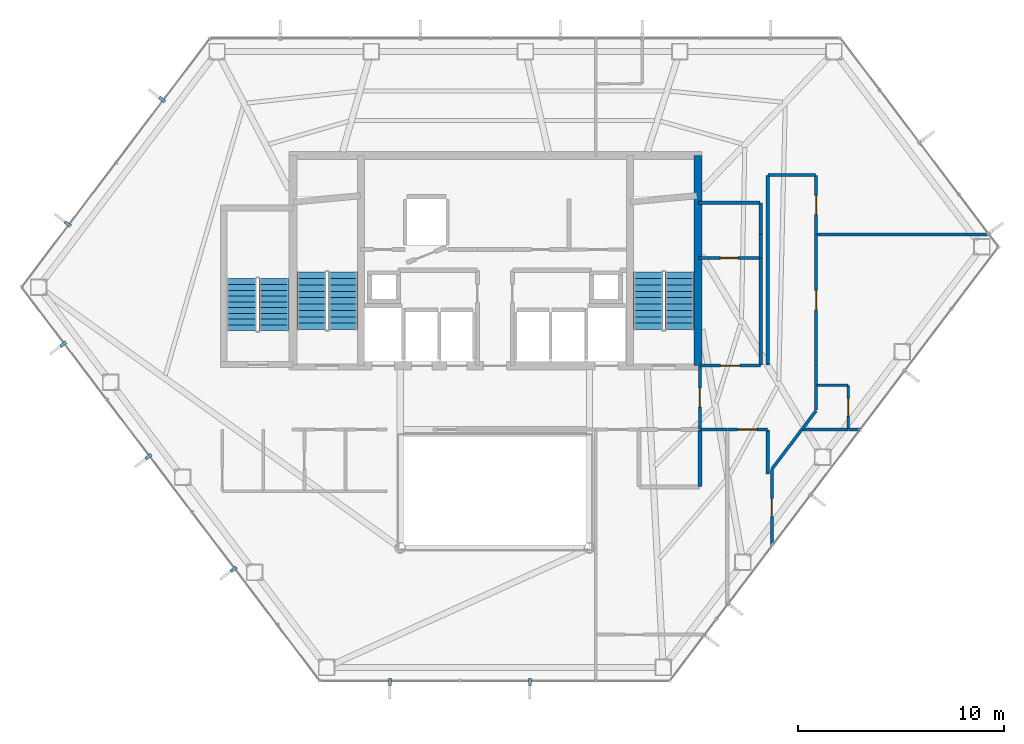
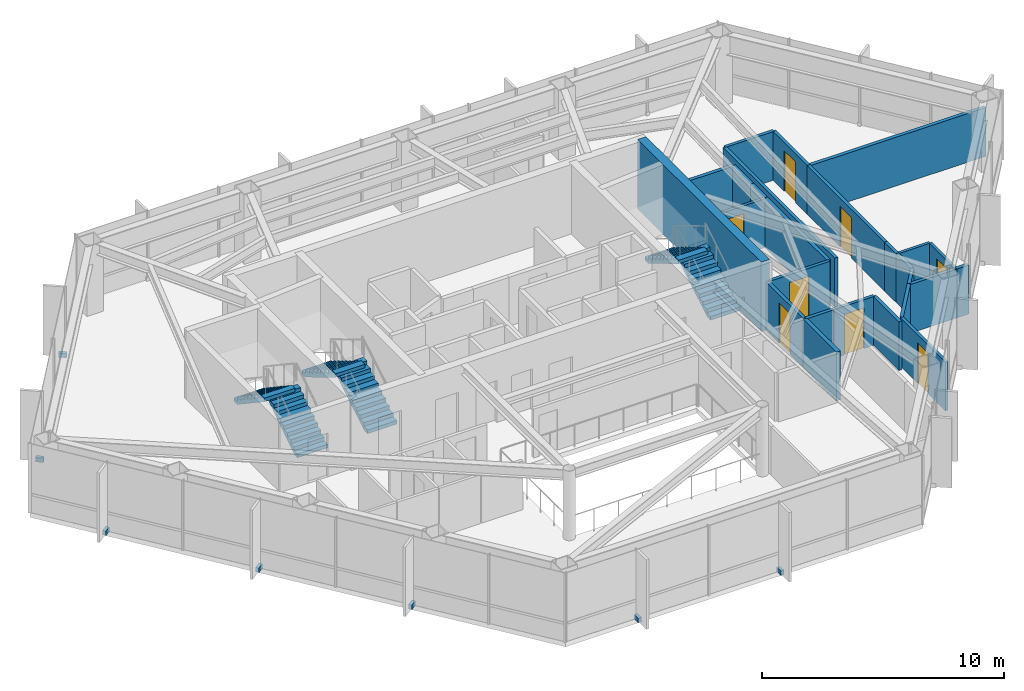
# One storey, part 27 of 29: 26 walls, 8 doors, 7 discrete accessories, 6 stair flights, 8 openings, 3 elements without a shape of their own.
"""IFC4 building model written with IfcOpenShell, lengths in metres."""

from ifc_helpers import new_model, si_unit, direction, frame, frame_2d, origin, origin_2d, place, context, subcontext, project, spatial, polyline, rectangle, outline, extrude, material, layer, layer_set, type_object, element, fill, aggregate, save


model = new_model("IFC4")

# Units and contexts
model_context = context("Model", 3, precision=1e-05, world=origin(), true_north=direction((0.0, 1.0)))
body_context = subcontext(model_context, "Body", "Model", "MODEL_VIEW")
ifc_project = project(units=[si_unit("LENGTHUNIT", "METRE"), si_unit("AREAUNIT", "SQUARE_METRE"), si_unit("VOLUMEUNIT", "CUBIC_METRE"), si_unit("PLANEANGLEUNIT", "RADIAN"), si_unit("MASSUNIT", "GRAM", prefix="KILO")], contexts=[model_context])

# Site, building, storey
site_placement = place(None, origin())
site = spatial("IfcSite", under=ifc_project, at=site_placement, CompositionType="ELEMENT")
building_placement = place(site_placement, origin())
building = spatial("IfcBuilding", under=site, at=building_placement, Name="Zarrinselat Tower", CompositionType="ELEMENT")
storey_placement = place(building_placement, frame((0.0, 0.0, 138.3798828125)))
storey = spatial("IfcBuildingStorey", under=building, at=storey_placement, Name="L33", CompositionType="ELEMENT", Elevation=138.3798828125)

# Walls
ifc_material_1 = material(Name="Fire-Rated Gypsum Board Partition", Category="gypsum")
ifc_layer_1 = layer(ifc_material_1, 0.1650390625)
ifc_layer_set_1 = layer_set([ifc_layer_1], Name="Fire-Rated Gypsum Board Partition")
wall_type_1 = type_object("IfcWallType", Name="WAL-PART-DEMISE", PredefinedType="PARTITIONING", material=ifc_layer_set_1)
wall_1_placement = place(storey_placement, frame((55.562255859375, 30.14990234375, 0.0), z_axis=(0.0, 0.0, 1.0), x_axis=(1.0, 0.0, 0.0)))
element("IfcWall", 1, at=wall_1_placement, inside=storey, type_object=wall_type_1, Name="L33 Partition Wall 51", PredefinedType="PARTITIONING", context=body_context, shape_type="SweptSolid", body=[
    extrude(rectangle(XDim=0.565185546875, YDim=0.1650390625, at=frame_2d((0.28271484375, 0.0))), origin(), (0.0, 0.0, 1.0), 2.45703125),
])
wall_2_placement = place(storey_placement, frame((53.3271484375, 30.14990234375, 0.0), z_axis=(0.0, 0.0, 1.0), x_axis=(1.0, 0.0, 0.0)))
element("IfcWall", 2, at=wall_2_placement, inside=storey, type_object=wall_type_1, Name="L33 Partition Wall 52", PredefinedType="PARTITIONING", context=body_context, shape_type="SweptSolid", body=[
    extrude(rectangle(XDim=2.22509765625, YDim=0.1650390625, at=frame_2d((1.112548828125, 0.0))), origin(), (0.0, 0.0, 1.0), 2.45703125),
])
wall_3_placement = place(storey_placement, frame((54.02001953125, 39.6201171875, 0.0), z_axis=(0.0, 0.0, 1.0), x_axis=(1.0, 0.0, 0.0)))
element("IfcWall", 3, at=wall_3_placement, inside=storey, type_object=wall_type_1, Name="L33 Partition Wall 55", PredefinedType="PARTITIONING", context=body_context, shape_type="SweptSolid", body=[
    extrude(rectangle(XDim=8.37255859375, YDim=0.1650390625, at=frame_2d((4.186279296875, 0.0))), origin(), (0.0, 0.0, 1.0), 2.45703125),
])
wall_4_placement = place(storey_placement, frame((51.300048828125, 33.27001953125, 0.0), z_axis=(0.0, 0.0, 1.0), x_axis=(0.0, 1.0, 0.0)))
element("IfcWall", 4, at=wall_4_placement, inside=storey, type_object=wall_type_1, Name="L33 Partition Wall 58", PredefinedType="PARTITIONING", context=body_context, shape_type="SweptSolid", body=[
    extrude(rectangle(XDim=5.2021484375, YDim=0.1650390625, at=frame_2d((2.60107421875, 0.0))), origin(), (0.0, 0.0, 1.0), 2.45703125),
])
wall_5_placement = place(storey_placement, frame((51.300048828125, 38.482177734375, 0.0), z_axis=(0.0, 0.0, 1.0), x_axis=(0.0, 1.0, 0.0)))
element("IfcWall", 5, at=wall_5_placement, inside=storey, type_object=wall_type_1, Name="L33 Partition Wall 59", PredefinedType="PARTITIONING", context=body_context, shape_type="SweptSolid", body=[
    extrude(rectangle(XDim=1.137939453125, YDim=0.1650390625, at=frame_2d((0.56884765625, 0.0))), origin(), (0.0, 0.0, 1.0), 2.45703125),
])
wall_6_placement = place(storey_placement, frame((51.300048828125, 39.6201171875, 0.0), z_axis=(0.0, 0.0, 1.0), x_axis=(0.0, 1.0, 0.0)))
element("IfcWall", 6, at=wall_6_placement, inside=storey, type_object=wall_type_1, Name="L33 Partition Wall 60", PredefinedType="PARTITIONING", context=body_context, shape_type="SweptSolid", body=[
    extrude(rectangle(XDim=1.52978515625, YDim=0.1650390625, at=frame_2d((0.764892578125, 0.0))), origin(), (0.0, 0.0, 1.0), 2.45703125),
])
wall_7_placement = place(storey_placement, frame((48.27490234375, 41.169921875, 0.0), z_axis=(0.0, 0.0, 1.0), x_axis=(1.0, 0.0, 0.0)))
element("IfcWall", 7, at=wall_7_placement, inside=storey, type_object=wall_type_1, Name="L33 Partition Wall 61", PredefinedType="PARTITIONING", context=body_context, shape_type="SweptSolid", body=[
    extrude(rectangle(XDim=3.005126953125, YDim=0.1650390625, at=frame_2d((1.50244140625, 0.0))), origin(), (0.0, 0.0, 1.0), 2.45703125),
])
ifc_material_2 = material(Name="Concrete C40/50", Category="concrete")
ifc_layer_2 = layer(ifc_material_2, 0.18994140625)
ifc_layer_set_2 = layer_set([ifc_layer_2], Name="Concrete C40/50")
wall_type_2 = type_object("IfcWallType", Name="WAL-PART-EI120", PredefinedType="PARTITIONING", material=ifc_layer_set_2)
wall_8_placement = place(storey_placement, frame((48.35009765625, 27.3701171875, 0.0), z_axis=(0.0, 0.0, 1.0), x_axis=(0.0, 1.0, 0.0)))
element("IfcWall", 8, at=wall_8_placement, inside=storey, type_object=wall_type_2, Name="L33 Partition Wall 21", PredefinedType="PARTITIONING", context=body_context, shape_type="SweptSolid", body=[
    extrude(rectangle(XDim=2.759765625, YDim=0.18994140625, at=frame_2d((1.3798828125, 0.0))), origin(), (0.0, 0.0, 1.0), 2.45703125),
])

# Wall, opening, door
ifc_material_3 = material(Name="Fire-Rated Gypsum Board Partition", Category="gypsum")
ifc_layer_3 = layer(ifc_material_3, 0.14990234375)
ifc_layer_set_3 = layer_set([ifc_layer_3], Name="Fire-Rated Gypsum Board Partition")
wall_type_3 = type_object("IfcWallType", Name="WAL-PART-EI60", PredefinedType="PARTITIONING", material=ifc_layer_set_3)
wall_9_placement = place(storey_placement, frame((48.35009765625, 30.169921875, 0.0), z_axis=(0.0, 0.0, 1.0), x_axis=(0.0, 1.0, 0.0)))
wall_9 = element("IfcWall", 9, at=wall_9_placement, inside=storey, type_object=wall_type_3, Name="L33 Partition Wall 13", PredefinedType="PARTITIONING", context=body_context, shape_type="SweptSolid", body=[
    extrude(rectangle(XDim=3.06005859375, YDim=0.14990234375, at=frame_2d((1.530029296875, 0.0))), origin(), (0.0, 0.0, 1.0), 2.45703125),
])
opening_1_placement = place(wall_9_placement, frame((1.06005859375, 0.0, 0.0)))
opening_1 = element("IfcOpeningElement", 10, at=opening_1_placement, cuts=wall_9, Name="Opening ID-04", PredefinedType="OPENING", context=body_context, shape_type="SweptSolid", body=[
    extrude(rectangle(XDim=0.93994140625, YDim=2.050048828125, at=frame_2d((0.469970703125, 1.02490234375))), frame((0.0, 0.0849609375, 0.0), z_axis=(0.0, -1.0, 0.0), x_axis=(1.0, 0.0, 0.0)), (0.0, 0.0, 1.0), 0.169921875),
])
ifc_material_4 = material(Name="Fire-Rated Gypsum Board Partition")
door_type_1 = type_object("IfcDoorType", Name="DR-INT-FD30-ENT", OperationType="NOTDEFINED", PredefinedType="DOOR", material=ifc_material_4)
door_1_placement = place(opening_1_placement, origin())
door_1 = element("IfcDoor", 11, at=door_1_placement, inside=storey, type_object=door_type_1, Name="L33 Interior Door P13", OperationType="SINGLE_SWING_LEFT", OverallHeight=2.050048828125, OverallWidth=0.93994140625, PredefinedType="DOOR", context=body_context, shape_type="SweptSolid", body=[
    extrude(rectangle(XDim=0.93994140625, YDim=2.050048828125, at=frame_2d((0.469970703125, 1.02490234375))), frame((0.0, 0.02490234375, 0.0), z_axis=(0.0, -1.0, 0.0), x_axis=(1.0, 0.0, 0.0)), (0.0, 0.0, 1.0), 0.050048828125),
])
fill(opening_1, door_1)

# Walls
wall_10_placement = place(storey_placement, frame((48.3701171875, 30.14990234375, 0.0), z_axis=(0.0, 0.0, 1.0), x_axis=(1.0, 0.0, 0.0)))
element("IfcWall", 12, at=wall_10_placement, inside=storey, type_object=wall_type_3, Name="L33 Partition Wall 22", PredefinedType="PARTITIONING", context=body_context, shape_type="SweptSolid", body=[
    extrude(rectangle(XDim=1.30859375, YDim=0.14990234375, at=frame_2d((0.654296875, 0.0))), origin(), (0.0, 0.0, 1.0), 2.45703125),
])
wall_11_placement = place(storey_placement, frame((51.64990234375, 27.982421875, 0.0), z_axis=(0.0, 0.0, 1.0), x_axis=(0.0, 1.0, 0.0)))
element("IfcWall", 13, at=wall_11_placement, inside=storey, type_object=wall_type_3, Name="L33 Partition Wall 23", PredefinedType="PARTITIONING", context=body_context, shape_type="SweptSolid", body=[
    extrude(rectangle(XDim=2.1474609375, YDim=0.14990234375, at=frame_2d((1.07373046875, 0.0))), origin(), (0.0, 0.0, 1.0), 2.45703125),
])

# Wall, opening, door
wall_12_placement = place(storey_placement, frame((49.688720703125, 30.14990234375, 0.0), z_axis=(0.0, 0.0, 1.0), x_axis=(1.0, 0.0, 0.0)))
wall_12 = element("IfcWall", 14, at=wall_12_placement, inside=storey, type_object=wall_type_3, Name="L33 Partition Wall 24", PredefinedType="PARTITIONING", context=body_context, shape_type="SweptSolid", body=[
    extrude(rectangle(XDim=1.941162109375, YDim=0.14990234375, at=frame_2d((0.970703125, 0.0))), origin(), (0.0, 0.0, 1.0), 2.45703125),
])
opening_2_placement = place(wall_12_placement, frame((0.500732421875, 0.0, 0.0)))
opening_2 = element("IfcOpeningElement", 15, at=opening_2_placement, cuts=wall_12, Name="Opening ID-04", PredefinedType="OPENING", context=body_context, shape_type="SweptSolid", body=[
    extrude(rectangle(XDim=0.93994140625, YDim=2.050048828125, at=frame_2d((0.469970703125, 1.02490234375))), frame((0.0, 0.0849609375, 0.0), z_axis=(0.0, -1.0, 0.0), x_axis=(1.0, 0.0, 0.0)), (0.0, 0.0, 1.0), 0.169921875),
])
door_2_placement = place(opening_2_placement, origin())
door_2 = element("IfcDoor", 16, at=door_2_placement, inside=storey, type_object=door_type_1, Name="L33 Interior Door P24", OperationType="SINGLE_SWING_RIGHT", OverallHeight=2.050048828125, OverallWidth=0.93994140625, PredefinedType="DOOR", context=body_context, shape_type="SweptSolid", body=[
    extrude(rectangle(XDim=0.93994140625, YDim=2.050048828125, at=frame_2d((0.469970703125, 1.02490234375))), frame((0.0, 0.02490234375, 0.0), z_axis=(0.0, -1.0, 0.0), x_axis=(1.0, 0.0, 0.0)), (0.0, 0.0, 1.0), 0.050048828125),
])
fill(opening_2, door_2)

# Wall
wall_13_placement = place(storey_placement, frame((51.85107421875, 28.227783203125, 0.0), z_axis=(0.0, 0.0, 1.0), x_axis=(0.60378553019, 0.797146808018, 0.0)))
element("IfcWall", 17, at=wall_13_placement, inside=storey, type_object=wall_type_3, Name="L33 Partition Wall 25", PredefinedType="PARTITIONING", context=body_context, shape_type="SweptSolid", body=[
    extrude(rectangle(XDim=2.410400390625, YDim=0.14990234375, at=frame_2d((1.205078125, 0.0))), origin(), (0.0, 0.0, 1.0), 2.45703125),
])

# Wall, opening, door
wall_14_placement = place(storey_placement, frame((54.0, 33.25, 0.0), z_axis=(0.0, 0.0, 1.0), x_axis=(0.0, 1.0, 0.0)))
wall_14 = element("IfcWall", 18, at=wall_14_placement, inside=storey, type_object=wall_type_3, Name="L33 Partition Wall 26", PredefinedType="PARTITIONING", context=body_context, shape_type="SweptSolid", body=[
    extrude(rectangle(XDim=6.364990234375, YDim=0.14990234375, at=frame_2d((3.1826171875, 0.0))), origin(), (0.0, 0.0, 1.0), 2.45703125),
])
opening_3_placement = place(wall_14_placement, frame((2.71240234375, 0.0, 0.0)))
opening_3 = element("IfcOpeningElement", 19, at=opening_3_placement, cuts=wall_14, Name="Opening ID-04", PredefinedType="OPENING", context=body_context, shape_type="SweptSolid", body=[
    extrude(rectangle(XDim=0.93994140625, YDim=2.050048828125, at=frame_2d((0.469970703125, 1.02490234375))), frame((0.0, 0.0849609375, 0.0), z_axis=(0.0, -1.0, 0.0), x_axis=(1.0, 0.0, 0.0)), (0.0, 0.0, 1.0), 0.169921875),
])
door_3_placement = place(opening_3_placement, origin())
door_3 = element("IfcDoor", 20, at=door_3_placement, inside=storey, type_object=door_type_1, Name="L33 Interior Door P26", OperationType="SINGLE_SWING_LEFT", OverallHeight=2.050048828125, OverallWidth=0.93994140625, PredefinedType="DOOR", context=body_context, shape_type="SweptSolid", body=[
    extrude(rectangle(XDim=0.93994140625, YDim=2.050048828125, at=frame_2d((0.469970703125, 1.02490234375))), frame((0.0, 0.02490234375, 0.0), z_axis=(0.0, -1.0, 0.0), x_axis=(1.0, 0.0, 0.0)), (0.0, 0.0, 1.0), 0.050048828125),
])
fill(opening_3, door_3)

# Walls
wall_15_placement = place(storey_placement, frame((54.0, 32.304931640625, 0.0), z_axis=(0.0, 0.0, 1.0), x_axis=(0.0, 1.0, 0.0)))
element("IfcWall", 21, at=wall_15_placement, inside=storey, type_object=wall_type_3, Name="L33 Partition Wall 27", PredefinedType="PARTITIONING", context=body_context, shape_type="SweptSolid", body=[
    extrude(rectangle(XDim=0.945068359375, YDim=0.14990234375, at=frame_2d((0.47265625, 0.0))), origin(), (0.0, 0.0, 1.0), 2.45703125),
])
wall_16_placement = place(storey_placement, frame((54.0, 31.084716796875, 0.0), z_axis=(0.0, 0.0, 1.0), x_axis=(0.0, 1.0, 0.0)))
element("IfcWall", 22, at=wall_16_placement, inside=storey, type_object=wall_type_3, Name="L33 Partition Wall 28", PredefinedType="PARTITIONING", context=body_context, shape_type="SweptSolid", body=[
    extrude(rectangle(XDim=1.210205078125, YDim=0.14990234375, at=frame_2d((0.60498046875, 0.0))), origin(), (0.0, 0.0, 1.0), 2.45703125),
])
wall_17_placement = place(storey_placement, frame((53.310302734375, 30.154052734375, 0.0), z_axis=(0.0, 0.0, 1.0), x_axis=(0.603752960425, 0.797171476395, 0.0)))
element("IfcWall", 23, at=wall_17_placement, inside=storey, type_object=wall_type_3, Name="L33 Partition Wall 29", PredefinedType="PARTITIONING", context=body_context, shape_type="SweptSolid", body=[
    extrude(rectangle(XDim=1.1220703125, YDim=0.14990234375, at=frame_2d((0.56103515625, 0.0))), origin(), (0.0, 0.0, 1.0), 2.45703125),
])
wall_18_placement = place(storey_placement, frame((51.64990234375, 33.27001953125, 0.0), z_axis=(0.0, 0.0, 1.0), x_axis=(0.0, 1.0, 0.0)))
element("IfcWall", 24, at=wall_18_placement, inside=storey, type_object=wall_type_3, Name="L33 Partition Wall 30", PredefinedType="PARTITIONING", context=body_context, shape_type="SweptSolid", body=[
    extrude(rectangle(XDim=9.2099609375, YDim=0.14990234375, at=frame_2d((4.60498046875, 0.0))), origin(), (0.0, 0.0, 1.0), 2.45703125),
])
wall_19_placement = place(storey_placement, frame((51.669921875, 42.5, 0.0), z_axis=(0.0, 0.0, 1.0), x_axis=(1.0, 0.0, 0.0)))
element("IfcWall", 25, at=wall_19_placement, inside=storey, type_object=wall_type_3, Name="L33 Partition Wall 31", PredefinedType="PARTITIONING", context=body_context, shape_type="SweptSolid", body=[
    extrude(rectangle(XDim=2.31005859375, YDim=0.14990234375, at=frame_2d((1.155029296875, 0.0))), origin(), (0.0, 0.0, 1.0), 2.45703125),
])

# Wall, opening, door
wall_20_placement = place(storey_placement, frame((54.0, 39.625, 0.0), z_axis=(0.0, 0.0, 1.0), x_axis=(0.0, 1.0, 0.0)))
wall_20 = element("IfcWall", 26, at=wall_20_placement, inside=storey, type_object=wall_type_3, Name="L33 Partition Wall 32", PredefinedType="PARTITIONING", context=body_context, shape_type="SweptSolid", body=[
    extrude(rectangle(XDim=2.85498046875, YDim=0.14990234375, at=frame_2d((1.427490234375, 0.0))), origin(), (0.0, 0.0, 1.0), 2.45703125),
])
opening_4_placement = place(wall_20_placement, frame((0.95751953125, 0.0, 0.0)))
opening_4 = element("IfcOpeningElement", 27, at=opening_4_placement, cuts=wall_20, Name="Opening ID-04", PredefinedType="OPENING", context=body_context, shape_type="SweptSolid", body=[
    extrude(rectangle(XDim=0.93994140625, YDim=2.050048828125, at=frame_2d((0.469970703125, 1.02490234375))), frame((0.0, 0.0849609375, 0.0), z_axis=(0.0, -1.0, 0.0), x_axis=(1.0, 0.0, 0.0)), (0.0, 0.0, 1.0), 0.169921875),
])
door_4_placement = place(opening_4_placement, origin())
door_4 = element("IfcDoor", 28, at=door_4_placement, inside=storey, type_object=door_type_1, Name="L33 Interior Door P32", OperationType="SINGLE_SWING_RIGHT", OverallHeight=2.050048828125, OverallWidth=0.93994140625, PredefinedType="DOOR", context=body_context, shape_type="SweptSolid", body=[
    extrude(rectangle(XDim=0.93994140625, YDim=2.050048828125, at=frame_2d((0.469970703125, 1.02490234375))), frame((0.0, 0.02490234375, 0.0), z_axis=(0.0, -1.0, 0.0), x_axis=(1.0, 0.0, 0.0)), (0.0, 0.0, 1.0), 0.050048828125),
])
fill(opening_4, door_4)

wall_21_placement = place(storey_placement, frame((48.364990234375, 33.25, 0.0), z_axis=(0.0, 0.0, 1.0), x_axis=(1.0, 0.0, 0.0)))
wall_21 = element("IfcWall", 29, at=wall_21_placement, inside=storey, type_object=wall_type_3, Name="L33 Partition Wall 33", PredefinedType="PARTITIONING", context=body_context, shape_type="SweptSolid", body=[
    extrude(rectangle(XDim=2.929931640625, YDim=0.14990234375, at=frame_2d((1.46484375, 0.0))), origin(), (0.0, 0.0, 1.0), 2.45703125),
])
opening_5_placement = place(wall_21_placement, frame((0.9951171875, 0.0, 0.0)))
opening_5 = element("IfcOpeningElement", 30, at=opening_5_placement, cuts=wall_21, Name="Opening ID-04", PredefinedType="OPENING", context=body_context, shape_type="SweptSolid", body=[
    extrude(rectangle(XDim=0.93994140625, YDim=2.050048828125, at=frame_2d((0.469970703125, 1.02490234375))), frame((0.0, 0.0849609375, 0.0), z_axis=(0.0, -1.0, 0.0), x_axis=(1.0, 0.0, 0.0)), (0.0, 0.0, 1.0), 0.169921875),
])
door_5_placement = place(opening_5_placement, origin())
door_5 = element("IfcDoor", 31, at=door_5_placement, inside=storey, type_object=door_type_1, Name="L33 Interior Door P33", OperationType="SINGLE_SWING_LEFT", OverallHeight=2.050048828125, OverallWidth=0.93994140625, PredefinedType="DOOR", context=body_context, shape_type="SweptSolid", body=[
    extrude(rectangle(XDim=0.93994140625, YDim=2.050048828125, at=frame_2d((0.469970703125, 1.02490234375))), frame((0.0, 0.02490234375, 0.0), z_axis=(0.0, -1.0, 0.0), x_axis=(1.0, 0.0, 0.0)), (0.0, 0.0, 1.0), 0.050048828125),
])
fill(opening_5, door_5)

ifc_material_5 = material(Name="Fire-Rated Gypsum Board Partition", Category="gypsum")
ifc_layer_4 = layer(ifc_material_5, 0.135009765625)
ifc_layer_set_4 = layer_set([ifc_layer_4], Name="Fire-Rated Gypsum Board Partition")
wall_type_4 = type_object("IfcWallType", Name="WAL-PART-WET", PredefinedType="PARTITIONING", material=ifc_layer_set_4)
wall_22_placement = place(storey_placement, frame((51.85400390625, 24.504150390625, 0.0), z_axis=(0.0, 0.0, 1.0), x_axis=(0.0, 1.0, 0.0)))
wall_22 = element("IfcWall", 32, at=wall_22_placement, inside=storey, type_object=wall_type_4, Name="L33 Partition Wall 50", PredefinedType="PARTITIONING", context=body_context, shape_type="SweptSolid", body=[
    extrude(rectangle(XDim=3.707763671875, YDim=0.135009765625, at=frame_2d((1.85400390625, 0.0))), origin(), (0.0, 0.0, 1.0), 2.45703125),
])
opening_6_placement = place(wall_22_placement, frame((1.423828125, 0.0, 0.0)))
opening_6 = element("IfcOpeningElement", 33, at=opening_6_placement, cuts=wall_22, Name="Opening ID-06", PredefinedType="OPENING", context=body_context, shape_type="SweptSolid", body=[
    extrude(rectangle(XDim=0.860107421875, YDim=2.050048828125, at=frame_2d((0.43017578125, 1.02490234375))), frame((0.0, 0.077392578125, 0.0), z_axis=(0.0, -1.0, 0.0), x_axis=(1.0, 0.0, 0.0)), (0.0, 0.0, 1.0), 0.155029296875),
])
ifc_material_6 = material(Name="Extruded Aluminium Alloy EN AW-6063 T6", Category="aluminium")
door_type_2 = type_object("IfcDoorType", Name="DR-INT-WET-900", OperationType="NOTDEFINED", PredefinedType="DOOR", material=ifc_material_6)
door_6_placement = place(opening_6_placement, origin())
door_6 = element("IfcDoor", 34, at=door_6_placement, inside=storey, type_object=door_type_2, Name="L33 Interior Door P50", OperationType="SINGLE_SWING_LEFT", OverallHeight=2.050048828125, OverallWidth=0.860107421875, PredefinedType="DOOR", context=body_context, shape_type="SweptSolid", body=[
    extrude(rectangle(XDim=0.860107421875, YDim=2.050048828125, at=frame_2d((0.43017578125, 1.02490234375))), frame((0.0, 0.02490234375, 0.0), z_axis=(0.0, -1.0, 0.0), x_axis=(1.0, 0.0, 0.0)), (0.0, 0.0, 1.0), 0.050048828125),
])
fill(opening_6, door_6)

wall_23_placement = place(storey_placement, frame((55.55712890625, 30.169921875, 0.0), z_axis=(0.0, 0.0, 1.0), x_axis=(0.0, 1.0, 0.0)))
wall_23 = element("IfcWall", 35, at=wall_23_placement, inside=storey, type_object=wall_type_4, Name="L33 Partition Wall 53", PredefinedType="PARTITIONING", context=body_context, shape_type="SweptSolid", body=[
    extrude(rectangle(XDim=2.110107421875, YDim=0.135009765625, at=frame_2d((1.05517578125, 0.0))), origin(), (0.0, 0.0, 1.0), 2.45703125),
])
opening_7_placement = place(wall_23_placement, frame((0.625, 0.0, 0.0)))
opening_7 = element("IfcOpeningElement", 36, at=opening_7_placement, cuts=wall_23, Name="Opening ID-06", PredefinedType="OPENING", context=body_context, shape_type="SweptSolid", body=[
    extrude(rectangle(XDim=0.860107421875, YDim=2.050048828125, at=frame_2d((0.43017578125, 1.02490234375))), frame((0.0, 0.077392578125, 0.0), z_axis=(0.0, -1.0, 0.0), x_axis=(1.0, 0.0, 0.0)), (0.0, 0.0, 1.0), 0.155029296875),
])
door_7_placement = place(opening_7_placement, origin())
door_7 = element("IfcDoor", 37, at=door_7_placement, inside=storey, type_object=door_type_2, Name="L33 Interior Door P53", OperationType="SINGLE_SWING_RIGHT", OverallHeight=2.050048828125, OverallWidth=0.860107421875, PredefinedType="DOOR", context=body_context, shape_type="SweptSolid", body=[
    extrude(rectangle(XDim=0.860107421875, YDim=2.050048828125, at=frame_2d((0.43017578125, 1.02490234375))), frame((0.0, 0.02490234375, 0.0), z_axis=(0.0, -1.0, 0.0), x_axis=(1.0, 0.0, 0.0)), (0.0, 0.0, 1.0), 0.050048828125),
])
fill(opening_7, door_7)

# Wall
wall_24_placement = place(storey_placement, frame((54.02001953125, 32.300048828125, 0.0), z_axis=(0.0, 0.0, 1.0), x_axis=(1.0, 0.0, 0.0)))
element("IfcWall", 38, at=wall_24_placement, inside=storey, type_object=wall_type_4, Name="L33 Partition Wall 54", PredefinedType="PARTITIONING", context=body_context, shape_type="SweptSolid", body=[
    extrude(rectangle(XDim=1.51708984375, YDim=0.135009765625, at=frame_2d((0.758544921875, 0.0))), origin(), (0.0, 0.0, 1.0), 2.45703125),
])

# Wall, opening, door
wall_25_placement = place(storey_placement, frame((48.27490234375, 38.477294921875, 0.0), z_axis=(0.0, 0.0, 1.0), x_axis=(1.0, 0.0, 0.0)))
wall_25 = element("IfcWall", 39, at=wall_25_placement, inside=storey, type_object=wall_type_4, Name="L33 Partition Wall 62", PredefinedType="PARTITIONING", context=body_context, shape_type="SweptSolid", body=[
    extrude(rectangle(XDim=3.005126953125, YDim=0.135009765625, at=frame_2d((1.50244140625, 0.0))), origin(), (0.0, 0.0, 1.0), 2.45703125),
])
opening_8_placement = place(wall_25_placement, frame((1.072509765625, 0.0, 0.0)))
opening_8 = element("IfcOpeningElement", 40, at=opening_8_placement, cuts=wall_25, Name="Opening ID-06", PredefinedType="OPENING", context=body_context, shape_type="SweptSolid", body=[
    extrude(rectangle(XDim=0.860107421875, YDim=2.050048828125, at=frame_2d((0.43017578125, 1.02490234375))), frame((0.0, 0.077392578125, 0.0), z_axis=(0.0, -1.0, 0.0), x_axis=(1.0, 0.0, 0.0)), (0.0, 0.0, 1.0), 0.155029296875),
])
door_8_placement = place(opening_8_placement, origin())
door_8 = element("IfcDoor", 41, at=door_8_placement, inside=storey, type_object=door_type_2, Name="L33 Interior Door P62", OperationType="SINGLE_SWING_RIGHT", OverallHeight=2.050048828125, OverallWidth=0.860107421875, PredefinedType="DOOR", context=body_context, shape_type="SweptSolid", body=[
    extrude(rectangle(XDim=0.860107421875, YDim=2.050048828125, at=frame_2d((0.43017578125, 1.02490234375))), frame((0.0, 0.02490234375, 0.0), z_axis=(0.0, -1.0, 0.0), x_axis=(1.0, 0.0, 0.0)), (0.0, 0.0, 1.0), 0.050048828125),
])
fill(opening_8, door_8)

# Wall
ifc_material_7 = material(Name="Concrete C60/75", Category="concrete")
ifc_layer_5 = layer(ifc_material_7, 0.39990234375)
ifc_layer_set_5 = layer_set([ifc_layer_5], Name="Concrete C60/75")
wall_type_5 = type_object("IfcWallType", Name="WAL-SHEAR-400", PredefinedType="SHEAR", material=ifc_layer_set_5)
wall_26_placement = place(storey_placement, frame((48.260009765625, 33.25, 0.0), z_axis=(0.0, 0.0, 1.0), x_axis=(0.0, 1.0, 0.0)))
element("IfcWall", 42, at=wall_26_placement, inside=storey, type_object=wall_type_5, Name="L33 Core Shear Wall E", PredefinedType="SHEAR", context=body_context, shape_type="SweptSolid", body=[
    extrude(rectangle(XDim=10.199951171875, YDim=0.39990234375, at=frame_2d((5.10009765625, 0.0))), origin(), (0.0, 0.0, 1.0), 3.5),
])

# Stair, stair flights
ifc_material_8 = material(Name="Concrete C40/50", Category="concrete")
stair_type_1 = type_object("IfcStairType", Name="STR-CORE-145", PredefinedType="HALF_TURN_STAIR", material=ifc_material_8)
stair_1_placement = place(storey_placement, origin())
stair_1 = element("IfcStair", 43, at=stair_1_placement, inside=storey, type_object=stair_type_1, Name="L33 Podium & Mid-Tower Exit Stair 3", PredefinedType="HALF_TURN_STAIR")
ifc_material_9 = material(Name="Concrete C40/50", Category="concrete")
stair_flight_type_1 = type_object("IfcStairFlightType", Name="STR-FLT-145", PredefinedType="STRAIGHT", material=ifc_material_9)
stair_flight_1_placement = place(storey_placement, frame((27.675048828125, 34.949951171875, 0.0), z_axis=(0.0, 0.0, 1.0), x_axis=(0.0, 1.0, 0.0)))
stair_flight_1 = element("IfcStairFlight", 44, at=stair_flight_1_placement, type_object=stair_flight_type_1, Name="ST-3 flight 1", NumberOfRisers=10, NumberOfTreads=9, PredefinedType="STRAIGHT", RiserHeight=0.187, TreadLength=0.28, context=body_context, shape_type="SweptSolid", body=[
    extrude(outline(polyline([(0.0, 0.0), (0.0, 0.18701171875), (0.280029296875, 0.18701171875), (0.280029296875, 0.3740234375), (0.56005859375, 0.3740234375), (0.56005859375, 0.56103515625), (0.840087890625, 0.56103515625), (0.840087890625, 0.748046875), (1.1201171875, 0.748046875), (1.1201171875, 0.93505859375), (1.39990234375, 0.93505859375), (1.39990234375, 1.1220703125), (1.679931640625, 1.1220703125), (1.679931640625, 1.30908203125), (1.9599609375, 1.30908203125), (1.9599609375, 1.49609375), (2.239990234375, 1.49609375), (2.239990234375, 1.68310546875), (2.52001953125, 1.68310546875), (2.52001953125, 1.8701171875), (2.52001953125, 1.502685546875), (0.27001953125, 0.0), (0.0, 0.0)])), frame((0.0, 0.72509765625, 0.0), z_axis=(0.0, -1.0, 0.0), x_axis=(1.0, 0.0, 0.0)), (0.0, 0.0, 1.0), 1.449951171875),
])
stair_flight_2_placement = place(storey_placement, frame((26.10498046875, 37.469970703125, 1.8701171875), z_axis=(0.0, 0.0, 1.0), x_axis=(0.0, -1.0, 0.0)))
stair_flight_2 = element("IfcStairFlight", 45, at=stair_flight_2_placement, type_object=stair_flight_type_1, Name="ST-3 flight 2", NumberOfRisers=10, NumberOfTreads=9, PredefinedType="STRAIGHT", RiserHeight=0.187, TreadLength=0.28, context=body_context, shape_type="SweptSolid", body=[
    extrude(outline(polyline([(0.0, 0.0), (0.0, 0.18701171875), (0.280029296875, 0.18701171875), (0.280029296875, 0.3740234375), (0.56005859375, 0.3740234375), (0.56005859375, 0.56103515625), (0.840087890625, 0.56103515625), (0.840087890625, 0.748046875), (1.1201171875, 0.748046875), (1.1201171875, 0.93505859375), (1.39990234375, 0.93505859375), (1.39990234375, 1.1220703125), (1.679931640625, 1.1220703125), (1.679931640625, 1.30908203125), (1.9599609375, 1.30908203125), (1.9599609375, 1.49609375), (2.239990234375, 1.49609375), (2.239990234375, 1.68310546875), (2.52001953125, 1.68310546875), (2.52001953125, 1.8701171875), (2.52001953125, 1.502685546875), (0.27001953125, 0.0), (0.0, 0.0)])), frame((0.0, 0.72509765625, 0.0), z_axis=(0.0, -1.0, 0.0), x_axis=(1.0, 0.0, 0.0)), (0.0, 0.0, 1.0), 1.449951171875),
])
aggregate(stair_1, [stair_flight_1, stair_flight_2])

ifc_material_10 = material(Name="Concrete C40/50", Category="concrete")
stair_type_2 = type_object("IfcStairType", Name="STR-CORE-155", PredefinedType="HALF_TURN_STAIR", material=ifc_material_10)
stair_2_placement = place(storey_placement, origin())
stair_2 = element("IfcStair", 46, at=stair_2_placement, inside=storey, type_object=stair_type_2, Name="L33 Core Exit Stair 1", PredefinedType="HALF_TURN_STAIR")
ifc_material_11 = material(Name="Concrete C40/50", Category="concrete")
stair_flight_type_2 = type_object("IfcStairFlightType", Name="STR-FLT-155", PredefinedType="STRAIGHT", material=ifc_material_11)
stair_flight_3_placement = place(storey_placement, frame((31.02001953125, 35.0, 0.0), z_axis=(0.0, 0.0, 1.0), x_axis=(0.0, 1.0, 0.0)))
stair_flight_3 = element("IfcStairFlight", 47, at=stair_flight_3_placement, type_object=stair_flight_type_2, Name="ST-1 flight 1", NumberOfRisers=10, NumberOfTreads=9, PredefinedType="STRAIGHT", RiserHeight=0.187, TreadLength=0.31, context=body_context, shape_type="SweptSolid", body=[
    extrude(outline(polyline([(0.0, 0.0), (0.0, 0.18701171875), (0.31005859375, 0.18701171875), (0.31005859375, 0.3740234375), (0.6201171875, 0.3740234375), (0.6201171875, 0.56103515625), (0.929931640625, 0.56103515625), (0.929931640625, 0.748046875), (1.239990234375, 0.748046875), (1.239990234375, 0.93505859375), (1.550048828125, 0.93505859375), (1.550048828125, 1.1220703125), (1.860107421875, 1.1220703125), (1.860107421875, 1.30908203125), (2.169921875, 1.30908203125), (2.169921875, 1.49609375), (2.47998046875, 1.49609375), (2.47998046875, 1.68310546875), (2.7900390625, 1.68310546875), (2.7900390625, 1.8701171875), (2.7900390625, 1.508056640625), (0.290283203125, 0.0), (0.0, 0.0)])), frame((0.0, 0.699951171875, 0.0), z_axis=(0.0, -1.0, 0.0), x_axis=(1.0, 0.0, 0.0)), (0.0, 0.0, 1.0), 1.39990234375),
])
stair_flight_4_placement = place(storey_placement, frame((29.5, 37.7900390625, 1.8701171875), z_axis=(0.0, 0.0, 1.0), x_axis=(0.0, -1.0, 0.0)))
stair_flight_4 = element("IfcStairFlight", 48, at=stair_flight_4_placement, type_object=stair_flight_type_2, Name="ST-1 flight 2", NumberOfRisers=10, NumberOfTreads=9, PredefinedType="STRAIGHT", RiserHeight=0.187, TreadLength=0.31, context=body_context, shape_type="SweptSolid", body=[
    extrude(outline(polyline([(0.0, 0.0), (0.0, 0.18701171875), (0.31005859375, 0.18701171875), (0.31005859375, 0.3740234375), (0.6201171875, 0.3740234375), (0.6201171875, 0.56103515625), (0.929931640625, 0.56103515625), (0.929931640625, 0.748046875), (1.239990234375, 0.748046875), (1.239990234375, 0.93505859375), (1.550048828125, 0.93505859375), (1.550048828125, 1.1220703125), (1.860107421875, 1.1220703125), (1.860107421875, 1.30908203125), (2.169921875, 1.30908203125), (2.169921875, 1.49609375), (2.47998046875, 1.49609375), (2.47998046875, 1.68310546875), (2.7900390625, 1.68310546875), (2.7900390625, 1.8701171875), (2.7900390625, 1.508056640625), (0.290283203125, 0.0), (0.0, 0.0)])), frame((0.0, 0.699951171875, 0.0), z_axis=(0.0, -1.0, 0.0), x_axis=(1.0, 0.0, 0.0)), (0.0, 0.0, 1.0), 1.39990234375),
])
aggregate(stair_2, [stair_flight_3, stair_flight_4])

stair_3_placement = place(storey_placement, origin())
stair_3 = element("IfcStair", 49, at=stair_3_placement, inside=storey, type_object=stair_type_2, Name="L33 Core Exit Stair 2", PredefinedType="HALF_TURN_STAIR")
stair_flight_5_placement = place(storey_placement, frame((47.360107421875, 35.0, 0.0), z_axis=(0.0, 0.0, 1.0), x_axis=(0.0, 1.0, 0.0)))
stair_flight_5 = element("IfcStairFlight", 50, at=stair_flight_5_placement, type_object=stair_flight_type_2, Name="ST-2 flight 1", NumberOfRisers=10, NumberOfTreads=9, PredefinedType="STRAIGHT", RiserHeight=0.187, TreadLength=0.31, context=body_context, shape_type="SweptSolid", body=[
    extrude(outline(polyline([(0.0, 0.0), (0.0, 0.18701171875), (0.31005859375, 0.18701171875), (0.31005859375, 0.3740234375), (0.6201171875, 0.3740234375), (0.6201171875, 0.56103515625), (0.929931640625, 0.56103515625), (0.929931640625, 0.748046875), (1.239990234375, 0.748046875), (1.239990234375, 0.93505859375), (1.550048828125, 0.93505859375), (1.550048828125, 1.1220703125), (1.860107421875, 1.1220703125), (1.860107421875, 1.30908203125), (2.169921875, 1.30908203125), (2.169921875, 1.49609375), (2.47998046875, 1.49609375), (2.47998046875, 1.68310546875), (2.7900390625, 1.68310546875), (2.7900390625, 1.8701171875), (2.7900390625, 1.508056640625), (0.290283203125, 0.0), (0.0, 0.0)])), frame((0.0, 0.699951171875, 0.0), z_axis=(0.0, -1.0, 0.0), x_axis=(1.0, 0.0, 0.0)), (0.0, 0.0, 1.0), 1.39990234375),
])
stair_flight_6_placement = place(storey_placement, frame((45.840087890625, 37.7900390625, 1.8701171875), z_axis=(0.0, 0.0, 1.0), x_axis=(0.0, -1.0, 0.0)))
stair_flight_6 = element("IfcStairFlight", 51, at=stair_flight_6_placement, type_object=stair_flight_type_2, Name="ST-2 flight 2", NumberOfRisers=10, NumberOfTreads=9, PredefinedType="STRAIGHT", RiserHeight=0.187, TreadLength=0.31, context=body_context, shape_type="SweptSolid", body=[
    extrude(outline(polyline([(0.0, 0.0), (0.0, 0.18701171875), (0.31005859375, 0.18701171875), (0.31005859375, 0.3740234375), (0.6201171875, 0.3740234375), (0.6201171875, 0.56103515625), (0.929931640625, 0.56103515625), (0.929931640625, 0.748046875), (1.239990234375, 0.748046875), (1.239990234375, 0.93505859375), (1.550048828125, 0.93505859375), (1.550048828125, 1.1220703125), (1.860107421875, 1.1220703125), (1.860107421875, 1.30908203125), (2.169921875, 1.30908203125), (2.169921875, 1.49609375), (2.47998046875, 1.49609375), (2.47998046875, 1.68310546875), (2.7900390625, 1.68310546875), (2.7900390625, 1.8701171875), (2.7900390625, 1.508056640625), (0.290283203125, 0.0), (0.0, 0.0)])), frame((0.0, 0.699951171875, 0.0), z_axis=(0.0, -1.0, 0.0), x_axis=(1.0, 0.0, 0.0)), (0.0, 0.0, 1.0), 1.39990234375),
])
aggregate(stair_3, [stair_flight_5, stair_flight_6])

# Discrete accessories
ifc_material_12 = material(Name="Steel S355J2", Category="steel")
discrete_accessory_type = type_object("IfcDiscreteAccessoryType", Name="ACC-FIN-BRACKET", PredefinedType="BRACKET", material=ifc_material_12)
for number, where, z_axis, x_axis, name in (
    (52, (22.23583984375, 46.169921875, -0.0498046875), (0.0, 0.0, 1.0), (-0.797090994162, 0.603859211262, 0.0), "L33 Fin Fixing Bracket CW-L33-E02-01"),
    (53, (17.656494140625, 40.125, -0.0498046875), (0.0, 0.0, 1.0), (-0.797090994162, 0.603859211262, 0.0), "L33 Fin Fixing Bracket CW-L33-E02-03"),
    (54, (17.435302734375, 34.287353515625, -0.0498046875), (0.0, 0.0, 1.0), (-0.797093790407, -0.603855520216, 0.0), "L33 Fin Fixing Bracket CW-L33-E03-01"),
    (55, (21.57275390625, 28.826171875, -0.0498046875), (0.0, 0.0, 1.0), (-0.797093790407, -0.603855520216, 0.0), "L33 Fin Fixing Bracket CW-L33-E03-03"),
    (56, (25.7099609375, 23.36474609375, -0.0498046875), (0.0, 0.0, 1.0), (-0.797093790407, -0.603855520216, 0.0), "L33 Fin Fixing Bracket CW-L33-E03-05"),
    (57, (33.302001953125, 17.875732421875, -0.0498046875), (0.0, 0.0, 1.0), (0.0, -1.0, 0.0), "L33 Fin Fixing Bracket CW-L33-E04-01"),
    (58, (40.099365234375, 17.875732421875, -0.0498046875), (0.0, 0.0, 1.0), (0.0, -1.0, 0.0), "L33 Fin Fixing Bracket CW-L33-E04-03"),
):
    element("IfcDiscreteAccessory", number, at=place(storey_placement, frame(where, z_axis=z_axis, x_axis=x_axis)), inside=storey, type_object=discrete_accessory_type, Name=name, PredefinedType="BRACKET", context=body_context, shape_type="SweptSolid", body=[
        extrude(rectangle(XDim=0.340087890625, YDim=0.159912109375, at=origin_2d()), origin(), (0.0, 0.0, 1.0), 0.219970703125),
    ])

save(model, "model.ifc")
